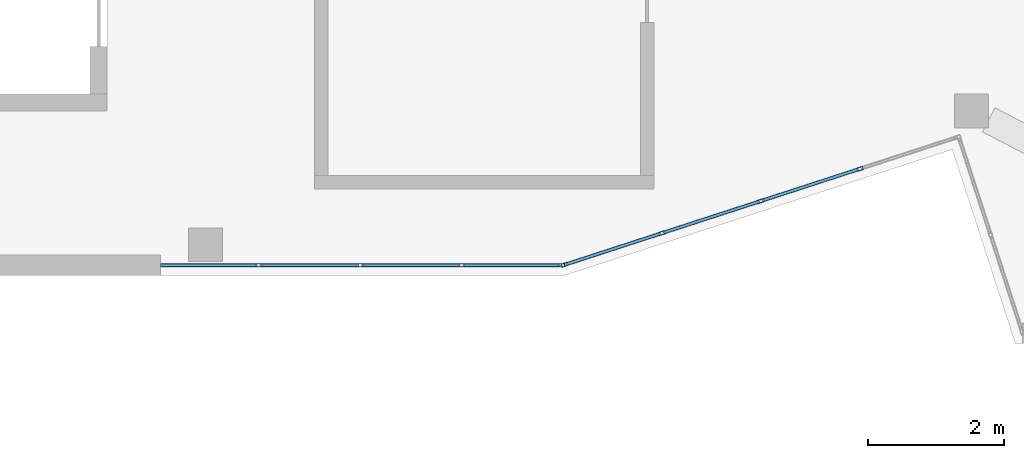
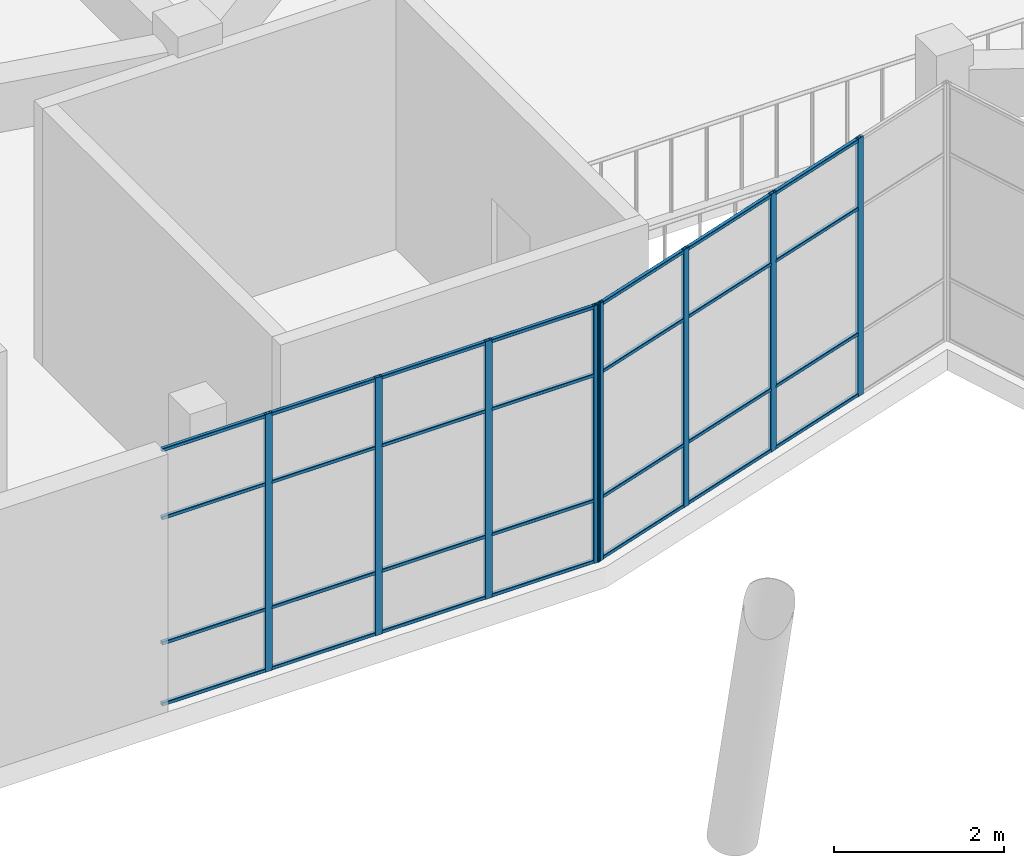
# One storey, part 6 of 66: 36 members, 2 elements without a shape of their own.
"""IFC4 building model written with IfcOpenShell, lengths in metres."""

from ifc_helpers import new_model, si_unit, direction, frame, origin, origin_2d, place, context, subcontext, project, spatial, hollow_rectangle, extrude, material, layer, layer_set, material_profile, profile_set, type_object, element, aggregate, save


model = new_model("IFC4")

# Units and contexts
model_context = context("Model", 3, precision=1e-05, world=origin(), true_north=direction((0.0, 1.0)))
body_context = subcontext(model_context, "Body", "Model", "MODEL_VIEW")
ifc_project = project(units=[si_unit("LENGTHUNIT", "METRE"), si_unit("AREAUNIT", "SQUARE_METRE"), si_unit("VOLUMEUNIT", "CUBIC_METRE"), si_unit("PLANEANGLEUNIT", "RADIAN"), si_unit("MASSUNIT", "GRAM", prefix="KILO")], contexts=[model_context])

# Site, building, storey
site_placement = place(None, origin())
site = spatial("IfcSite", under=ifc_project, at=site_placement, CompositionType="ELEMENT")
building_placement = place(site_placement, origin())
building = spatial("IfcBuilding", under=site, at=building_placement, Name="Tuart Plaza Theatre", CompositionType="ELEMENT")
storey_placement = place(building_placement, frame((0.0, 0.0, 5.5)))
storey = spatial("IfcBuildingStorey", under=building, at=storey_placement, Name="L01", CompositionType="ELEMENT", Elevation=5.5)

# Curtain wall, members
ifc_material_1 = material(Name="Aluminium and glass", Category="aluminium")
ifc_layer = layer(ifc_material_1, 0.10009765625)
ifc_layer_set = layer_set([ifc_layer], Name="CURTAIN WALL 1500 module")
curtain_wall_type = type_object("IfcCurtainWallType", Name="CURTAIN WALL 1500 module", PredefinedType="NOTDEFINED", material=ifc_layer_set)
curtain_wall_1_placement = place(storey_placement, origin())
curtain_wall_1 = element("IfcCurtainWall", 1, at=curtain_wall_1_placement, inside=storey, type_object=curtain_wall_type, Name="CW15", PredefinedType="NOTDEFINED")
ifc_material_2 = material(Name="Aluminium 6063-T5", Category="aluminium")
ifc_material_profile_1 = material_profile(ifc_material_2, hollow_rectangle(XDim=0.050048828125, YDim=0.10009765625, WallThickness=0.00390625, InnerFilletRadius=0.00390625, OuterFilletRadius=0.008056640625, at=origin_2d()), Name="RHS 100x50x4")
ifc_profile_set_1 = profile_set([ifc_material_profile_1], Name="Aluminium 6063-T5")
member_type_1 = type_object("IfcMemberType", Name="MULLION RHS 100x50x4", PredefinedType="MULLION", material=ifc_profile_set_1)
member_1_placement = place(storey_placement, frame((83.98095703125, 42.47802734375, 0.0), z_axis=(0.0, 0.0, 1.0), x_axis=(0.0, 1.0, 0.0)))
member_1 = element("IfcMember", 2, at=member_1_placement, type_object=member_type_1, Name="CW15 mullion 2", PredefinedType="MULLION", context=body_context, shape_type="SweptSolid", body=[
    extrude(hollow_rectangle(XDim=0.050048828125, YDim=0.10009765625, WallThickness=0.00390625, InnerFilletRadius=0.00390625, OuterFilletRadius=0.008056640625, at=origin_2d()), origin(), (0.0, 0.0, 1.0), 3.699951171875),
])
member_2_placement = place(storey_placement, frame((85.47509765625, 42.47802734375, 0.0), z_axis=(0.0, 0.0, 1.0), x_axis=(0.0, 1.0, 0.0)))
member_2 = element("IfcMember", 3, at=member_2_placement, type_object=member_type_1, Name="CW15 mullion 3", PredefinedType="MULLION", context=body_context, shape_type="SweptSolid", body=[
    extrude(hollow_rectangle(XDim=0.050048828125, YDim=0.10009765625, WallThickness=0.00390625, InnerFilletRadius=0.00390625, OuterFilletRadius=0.008056640625, at=origin_2d()), origin(), (0.0, 0.0, 1.0), 3.699951171875),
])
member_3_placement = place(storey_placement, frame((86.96923828125, 42.47802734375, 0.0), z_axis=(0.0, 0.0, 1.0), x_axis=(0.0, 1.0, 0.0)))
member_3 = element("IfcMember", 4, at=member_3_placement, type_object=member_type_1, Name="CW15 mullion 4", PredefinedType="MULLION", context=body_context, shape_type="SweptSolid", body=[
    extrude(hollow_rectangle(XDim=0.050048828125, YDim=0.10009765625, WallThickness=0.00390625, InnerFilletRadius=0.00390625, OuterFilletRadius=0.008056640625, at=origin_2d()), origin(), (0.0, 0.0, 1.0), 3.699951171875),
])
member_4_placement = place(storey_placement, frame((88.438232421875, 42.47802734375, 0.0), z_axis=(0.0, 0.0, 1.0), x_axis=(0.0, 1.0, 0.0)))
member_4 = element("IfcMember", 5, at=member_4_placement, type_object=member_type_1, Name="CW15 mullion 5", PredefinedType="MULLION", context=body_context, shape_type="SweptSolid", body=[
    extrude(hollow_rectangle(XDim=0.050048828125, YDim=0.10009765625, WallThickness=0.00390625, InnerFilletRadius=0.00390625, OuterFilletRadius=0.008056640625, at=origin_2d()), origin(), (0.0, 0.0, 1.0), 3.699951171875),
])

curtain_wall_2_placement = place(storey_placement, origin())
curtain_wall_2 = element("IfcCurtainWall", 6, at=curtain_wall_2_placement, inside=storey, type_object=curtain_wall_type, Name="CW16", PredefinedType="NOTDEFINED")
member_5_placement = place(storey_placement, frame((88.487060546875, 42.48583984375, 0.0), z_axis=(0.0, 0.0, 1.0), x_axis=(-0.309018232632, 0.95105611396, 0.0)))
member_5 = element("IfcMember", 7, at=member_5_placement, type_object=member_type_1, Name="CW16 mullion 1", PredefinedType="MULLION", context=body_context, shape_type="SweptSolid", body=[
    extrude(hollow_rectangle(XDim=0.050048828125, YDim=0.10009765625, WallThickness=0.00390625, InnerFilletRadius=0.00390625, OuterFilletRadius=0.008056640625, at=origin_2d()), origin(), (0.0, 0.0, 1.0), 3.699951171875),
])
member_6_placement = place(storey_placement, frame((89.919677734375, 42.951171875, 0.0), z_axis=(0.0, 0.0, 1.0), x_axis=(-0.309018232632, 0.95105611396, 0.0)))
member_6 = element("IfcMember", 8, at=member_6_placement, type_object=member_type_1, Name="CW16 mullion 2", PredefinedType="MULLION", context=body_context, shape_type="SweptSolid", body=[
    extrude(hollow_rectangle(XDim=0.050048828125, YDim=0.10009765625, WallThickness=0.00390625, InnerFilletRadius=0.00390625, OuterFilletRadius=0.008056640625, at=origin_2d()), origin(), (0.0, 0.0, 1.0), 3.699951171875),
])
member_7_placement = place(storey_placement, frame((91.376220703125, 43.424560546875, 0.0), z_axis=(0.0, 0.0, 1.0), x_axis=(-0.309018232632, 0.95105611396, 0.0)))
member_7 = element("IfcMember", 9, at=member_7_placement, type_object=member_type_1, Name="CW16 mullion 3", PredefinedType="MULLION", context=body_context, shape_type="SweptSolid", body=[
    extrude(hollow_rectangle(XDim=0.050048828125, YDim=0.10009765625, WallThickness=0.00390625, InnerFilletRadius=0.00390625, OuterFilletRadius=0.008056640625, at=origin_2d()), origin(), (0.0, 0.0, 1.0), 3.699951171875),
])
member_8_placement = place(storey_placement, frame((92.832763671875, 43.897705078125, 0.0), z_axis=(0.0, 0.0, 1.0), x_axis=(-0.309018232632, 0.95105611396, 0.0)))
member_8 = element("IfcMember", 10, at=member_8_placement, type_object=member_type_1, Name="CW16 mullion 4", PredefinedType="MULLION", context=body_context, shape_type="SweptSolid", body=[
    extrude(hollow_rectangle(XDim=0.050048828125, YDim=0.10009765625, WallThickness=0.00390625, InnerFilletRadius=0.00390625, OuterFilletRadius=0.008056640625, at=origin_2d()), origin(), (0.0, 0.0, 1.0), 3.699951171875),
])

# Member
ifc_material_3 = material(Name="Aluminium 6063-T5", Category="aluminium")
ifc_material_profile_2 = material_profile(ifc_material_3, hollow_rectangle(XDim=0.050048828125, YDim=0.050048828125, WallThickness=0.00390625, InnerFilletRadius=0.00390625, OuterFilletRadius=0.008056640625, at=origin_2d()), Name="RHS 50x50x4")
ifc_profile_set_2 = profile_set([ifc_material_profile_2], Name="Aluminium 6063-T5")
member_type_2 = type_object("IfcMemberType", Name="TRANSOM RHS 50x50x4", PredefinedType="USERDEFINED", material=ifc_profile_set_2)
member_9_placement = place(storey_placement, frame((82.537109375, 42.47802734375, 0.02490234375), z_axis=(1.0, 0.0, 0.0), x_axis=(0.0, 1.0, 0.0)))
member_9 = element("IfcMember", 11, at=member_9_placement, type_object=member_type_2, Name="CW15 transom 1.1", ObjectType="TRANSOM", PredefinedType="USERDEFINED", context=body_context, shape_type="SweptSolid", body=[
    extrude(hollow_rectangle(XDim=0.050048828125, YDim=0.050048828125, WallThickness=0.00390625, InnerFilletRadius=0.00390625, OuterFilletRadius=0.008056640625, at=origin_2d()), origin(), (0.0, 0.0, 1.0), 1.4189453125),
])

member_10_placement = place(storey_placement, frame((82.537109375, 42.47802734375, 0.89990234375), z_axis=(1.0, 0.0, 0.0), x_axis=(0.0, 1.0, 0.0)))
member_10 = element("IfcMember", 12, at=member_10_placement, type_object=member_type_2, Name="CW15 transom 1.2", ObjectType="TRANSOM", PredefinedType="USERDEFINED", context=body_context, shape_type="SweptSolid", body=[
    extrude(hollow_rectangle(XDim=0.050048828125, YDim=0.050048828125, WallThickness=0.00390625, InnerFilletRadius=0.00390625, OuterFilletRadius=0.008056640625, at=origin_2d()), origin(), (0.0, 0.0, 1.0), 1.4189453125),
])

member_11_placement = place(storey_placement, frame((82.537109375, 42.47802734375, 2.699951171875), z_axis=(1.0, 0.0, 0.0), x_axis=(0.0, 1.0, 0.0)))
member_11 = element("IfcMember", 13, at=member_11_placement, type_object=member_type_2, Name="CW15 transom 1.3", ObjectType="TRANSOM", PredefinedType="USERDEFINED", context=body_context, shape_type="SweptSolid", body=[
    extrude(hollow_rectangle(XDim=0.050048828125, YDim=0.050048828125, WallThickness=0.00390625, InnerFilletRadius=0.00390625, OuterFilletRadius=0.008056640625, at=origin_2d()), origin(), (0.0, 0.0, 1.0), 1.4189453125),
])

member_12_placement = place(storey_placement, frame((82.537109375, 42.47802734375, 3.675048828125), z_axis=(1.0, 0.0, 0.0), x_axis=(0.0, 1.0, 0.0)))
member_12 = element("IfcMember", 14, at=member_12_placement, type_object=member_type_2, Name="CW15 transom 1.4", ObjectType="TRANSOM", PredefinedType="USERDEFINED", context=body_context, shape_type="SweptSolid", body=[
    extrude(hollow_rectangle(XDim=0.050048828125, YDim=0.050048828125, WallThickness=0.00390625, InnerFilletRadius=0.00390625, OuterFilletRadius=0.008056640625, at=origin_2d()), origin(), (0.0, 0.0, 1.0), 1.4189453125),
])

member_13_placement = place(storey_placement, frame((84.006103515625, 42.47802734375, 0.02490234375), z_axis=(1.0, 0.0, 0.0), x_axis=(0.0, 1.0, 0.0)))
member_13 = element("IfcMember", 15, at=member_13_placement, type_object=member_type_2, Name="CW15 transom 2.1", ObjectType="TRANSOM", PredefinedType="USERDEFINED", context=body_context, shape_type="SweptSolid", body=[
    extrude(hollow_rectangle(XDim=0.050048828125, YDim=0.050048828125, WallThickness=0.00390625, InnerFilletRadius=0.00390625, OuterFilletRadius=0.008056640625, at=origin_2d()), origin(), (0.0, 0.0, 1.0), 1.444091796875),
])

member_14_placement = place(storey_placement, frame((84.006103515625, 42.47802734375, 0.89990234375), z_axis=(1.0, 0.0, 0.0), x_axis=(0.0, 1.0, 0.0)))
member_14 = element("IfcMember", 16, at=member_14_placement, type_object=member_type_2, Name="CW15 transom 2.2", ObjectType="TRANSOM", PredefinedType="USERDEFINED", context=body_context, shape_type="SweptSolid", body=[
    extrude(hollow_rectangle(XDim=0.050048828125, YDim=0.050048828125, WallThickness=0.00390625, InnerFilletRadius=0.00390625, OuterFilletRadius=0.008056640625, at=origin_2d()), origin(), (0.0, 0.0, 1.0), 1.444091796875),
])

member_15_placement = place(storey_placement, frame((84.006103515625, 42.47802734375, 2.699951171875), z_axis=(1.0, 0.0, 0.0), x_axis=(0.0, 1.0, 0.0)))
member_15 = element("IfcMember", 17, at=member_15_placement, type_object=member_type_2, Name="CW15 transom 2.3", ObjectType="TRANSOM", PredefinedType="USERDEFINED", context=body_context, shape_type="SweptSolid", body=[
    extrude(hollow_rectangle(XDim=0.050048828125, YDim=0.050048828125, WallThickness=0.00390625, InnerFilletRadius=0.00390625, OuterFilletRadius=0.008056640625, at=origin_2d()), origin(), (0.0, 0.0, 1.0), 1.444091796875),
])

member_16_placement = place(storey_placement, frame((84.006103515625, 42.47802734375, 3.675048828125), z_axis=(1.0, 0.0, 0.0), x_axis=(0.0, 1.0, 0.0)))
member_16 = element("IfcMember", 18, at=member_16_placement, type_object=member_type_2, Name="CW15 transom 2.4", ObjectType="TRANSOM", PredefinedType="USERDEFINED", context=body_context, shape_type="SweptSolid", body=[
    extrude(hollow_rectangle(XDim=0.050048828125, YDim=0.050048828125, WallThickness=0.00390625, InnerFilletRadius=0.00390625, OuterFilletRadius=0.008056640625, at=origin_2d()), origin(), (0.0, 0.0, 1.0), 1.444091796875),
])

member_17_placement = place(storey_placement, frame((85.5, 42.47802734375, 0.02490234375), z_axis=(1.0, 0.0, 0.0), x_axis=(0.0, 1.0, 0.0)))
member_17 = element("IfcMember", 19, at=member_17_placement, type_object=member_type_2, Name="CW15 transom 3.1", ObjectType="TRANSOM", PredefinedType="USERDEFINED", context=body_context, shape_type="SweptSolid", body=[
    extrude(hollow_rectangle(XDim=0.050048828125, YDim=0.050048828125, WallThickness=0.00390625, InnerFilletRadius=0.00390625, OuterFilletRadius=0.008056640625, at=origin_2d()), origin(), (0.0, 0.0, 1.0), 1.444091796875),
])

member_18_placement = place(storey_placement, frame((85.5, 42.47802734375, 0.89990234375), z_axis=(1.0, 0.0, 0.0), x_axis=(0.0, 1.0, 0.0)))
member_18 = element("IfcMember", 20, at=member_18_placement, type_object=member_type_2, Name="CW15 transom 3.2", ObjectType="TRANSOM", PredefinedType="USERDEFINED", context=body_context, shape_type="SweptSolid", body=[
    extrude(hollow_rectangle(XDim=0.050048828125, YDim=0.050048828125, WallThickness=0.00390625, InnerFilletRadius=0.00390625, OuterFilletRadius=0.008056640625, at=origin_2d()), origin(), (0.0, 0.0, 1.0), 1.444091796875),
])

member_19_placement = place(storey_placement, frame((85.5, 42.47802734375, 2.699951171875), z_axis=(1.0, 0.0, 0.0), x_axis=(0.0, 1.0, 0.0)))
member_19 = element("IfcMember", 21, at=member_19_placement, type_object=member_type_2, Name="CW15 transom 3.3", ObjectType="TRANSOM", PredefinedType="USERDEFINED", context=body_context, shape_type="SweptSolid", body=[
    extrude(hollow_rectangle(XDim=0.050048828125, YDim=0.050048828125, WallThickness=0.00390625, InnerFilletRadius=0.00390625, OuterFilletRadius=0.008056640625, at=origin_2d()), origin(), (0.0, 0.0, 1.0), 1.444091796875),
])

member_20_placement = place(storey_placement, frame((85.5, 42.47802734375, 3.675048828125), z_axis=(1.0, 0.0, 0.0), x_axis=(0.0, 1.0, 0.0)))
member_20 = element("IfcMember", 22, at=member_20_placement, type_object=member_type_2, Name="CW15 transom 3.4", ObjectType="TRANSOM", PredefinedType="USERDEFINED", context=body_context, shape_type="SweptSolid", body=[
    extrude(hollow_rectangle(XDim=0.050048828125, YDim=0.050048828125, WallThickness=0.00390625, InnerFilletRadius=0.00390625, OuterFilletRadius=0.008056640625, at=origin_2d()), origin(), (0.0, 0.0, 1.0), 1.444091796875),
])

member_21_placement = place(storey_placement, frame((86.994140625, 42.47802734375, 0.02490234375), z_axis=(1.0, 0.0, 0.0), x_axis=(0.0, 1.0, 0.0)))
member_21 = element("IfcMember", 23, at=member_21_placement, type_object=member_type_2, Name="CW15 transom 4.1", ObjectType="TRANSOM", PredefinedType="USERDEFINED", context=body_context, shape_type="SweptSolid", body=[
    extrude(hollow_rectangle(XDim=0.050048828125, YDim=0.050048828125, WallThickness=0.00390625, InnerFilletRadius=0.00390625, OuterFilletRadius=0.008056640625, at=origin_2d()), origin(), (0.0, 0.0, 1.0), 1.419189453125),
])

member_22_placement = place(storey_placement, frame((86.994140625, 42.47802734375, 0.89990234375), z_axis=(1.0, 0.0, 0.0), x_axis=(0.0, 1.0, 0.0)))
member_22 = element("IfcMember", 24, at=member_22_placement, type_object=member_type_2, Name="CW15 transom 4.2", ObjectType="TRANSOM", PredefinedType="USERDEFINED", context=body_context, shape_type="SweptSolid", body=[
    extrude(hollow_rectangle(XDim=0.050048828125, YDim=0.050048828125, WallThickness=0.00390625, InnerFilletRadius=0.00390625, OuterFilletRadius=0.008056640625, at=origin_2d()), origin(), (0.0, 0.0, 1.0), 1.419189453125),
])

member_23_placement = place(storey_placement, frame((86.994140625, 42.47802734375, 2.699951171875), z_axis=(1.0, 0.0, 0.0), x_axis=(0.0, 1.0, 0.0)))
member_23 = element("IfcMember", 25, at=member_23_placement, type_object=member_type_2, Name="CW15 transom 4.3", ObjectType="TRANSOM", PredefinedType="USERDEFINED", context=body_context, shape_type="SweptSolid", body=[
    extrude(hollow_rectangle(XDim=0.050048828125, YDim=0.050048828125, WallThickness=0.00390625, InnerFilletRadius=0.00390625, OuterFilletRadius=0.008056640625, at=origin_2d()), origin(), (0.0, 0.0, 1.0), 1.419189453125),
])

member_24_placement = place(storey_placement, frame((86.994140625, 42.47802734375, 3.675048828125), z_axis=(1.0, 0.0, 0.0), x_axis=(0.0, 1.0, 0.0)))
member_24 = element("IfcMember", 26, at=member_24_placement, type_object=member_type_2, Name="CW15 transom 4.4", ObjectType="TRANSOM", PredefinedType="USERDEFINED", context=body_context, shape_type="SweptSolid", body=[
    extrude(hollow_rectangle(XDim=0.050048828125, YDim=0.050048828125, WallThickness=0.00390625, InnerFilletRadius=0.00390625, OuterFilletRadius=0.008056640625, at=origin_2d()), origin(), (0.0, 0.0, 1.0), 1.419189453125),
])

aggregate(curtain_wall_1, [member_1, member_2, member_3, member_4, member_9, member_10, member_11, member_12, member_13, member_14, member_15, member_16, member_17, member_18, member_19, member_20, member_21, member_22, member_23, member_24])

member_25_placement = place(storey_placement, frame((88.5107421875, 42.493408203125, 0.02490234375), z_axis=(0.951036532205, 0.309078492313, 0.0), x_axis=(-0.309078492313, 0.951036532205, 0.0)))
member_25 = element("IfcMember", 27, at=member_25_placement, type_object=member_type_2, Name="CW16 transom 1.1", ObjectType="TRANSOM", PredefinedType="USERDEFINED", context=body_context, shape_type="SweptSolid", body=[
    extrude(hollow_rectangle(XDim=0.050048828125, YDim=0.050048828125, WallThickness=0.00390625, InnerFilletRadius=0.00390625, OuterFilletRadius=0.008056640625, at=origin_2d()), origin(), (0.0, 0.0, 1.0), 1.45654296875),
])

member_26_placement = place(storey_placement, frame((88.5107421875, 42.493408203125, 0.89990234375), z_axis=(0.951036532205, 0.309078492313, 0.0), x_axis=(-0.309078492313, 0.951036532205, 0.0)))
member_26 = element("IfcMember", 28, at=member_26_placement, type_object=member_type_2, Name="CW16 transom 1.2", ObjectType="TRANSOM", PredefinedType="USERDEFINED", context=body_context, shape_type="SweptSolid", body=[
    extrude(hollow_rectangle(XDim=0.050048828125, YDim=0.050048828125, WallThickness=0.00390625, InnerFilletRadius=0.00390625, OuterFilletRadius=0.008056640625, at=origin_2d()), origin(), (0.0, 0.0, 1.0), 1.45654296875),
])

member_27_placement = place(storey_placement, frame((88.5107421875, 42.493408203125, 2.699951171875), z_axis=(0.951036532205, 0.309078492313, 0.0), x_axis=(-0.309078492313, 0.951036532205, 0.0)))
member_27 = element("IfcMember", 29, at=member_27_placement, type_object=member_type_2, Name="CW16 transom 1.3", ObjectType="TRANSOM", PredefinedType="USERDEFINED", context=body_context, shape_type="SweptSolid", body=[
    extrude(hollow_rectangle(XDim=0.050048828125, YDim=0.050048828125, WallThickness=0.00390625, InnerFilletRadius=0.00390625, OuterFilletRadius=0.008056640625, at=origin_2d()), origin(), (0.0, 0.0, 1.0), 1.45654296875),
])

member_28_placement = place(storey_placement, frame((88.5107421875, 42.493408203125, 3.675048828125), z_axis=(0.951036532205, 0.309078492313, 0.0), x_axis=(-0.309078492313, 0.951036532205, 0.0)))
member_28 = element("IfcMember", 30, at=member_28_placement, type_object=member_type_2, Name="CW16 transom 1.4", ObjectType="TRANSOM", PredefinedType="USERDEFINED", context=body_context, shape_type="SweptSolid", body=[
    extrude(hollow_rectangle(XDim=0.050048828125, YDim=0.050048828125, WallThickness=0.00390625, InnerFilletRadius=0.00390625, OuterFilletRadius=0.008056640625, at=origin_2d()), origin(), (0.0, 0.0, 1.0), 1.45654296875),
])

member_29_placement = place(storey_placement, frame((89.943603515625, 42.958984375, 0.02490234375), z_axis=(0.951061919735, 0.309000363802, 0.0), x_axis=(-0.309000363802, 0.951061919735, 0.0)))
member_29 = element("IfcMember", 31, at=member_29_placement, type_object=member_type_2, Name="CW16 transom 2.1", ObjectType="TRANSOM", PredefinedType="USERDEFINED", context=body_context, shape_type="SweptSolid", body=[
    extrude(hollow_rectangle(XDim=0.050048828125, YDim=0.050048828125, WallThickness=0.00390625, InnerFilletRadius=0.00390625, OuterFilletRadius=0.008056640625, at=origin_2d()), origin(), (0.0, 0.0, 1.0), 1.4814453125),
])

member_30_placement = place(storey_placement, frame((89.943603515625, 42.958984375, 0.89990234375), z_axis=(0.951061919735, 0.309000363802, 0.0), x_axis=(-0.309000363802, 0.951061919735, 0.0)))
member_30 = element("IfcMember", 32, at=member_30_placement, type_object=member_type_2, Name="CW16 transom 2.2", ObjectType="TRANSOM", PredefinedType="USERDEFINED", context=body_context, shape_type="SweptSolid", body=[
    extrude(hollow_rectangle(XDim=0.050048828125, YDim=0.050048828125, WallThickness=0.00390625, InnerFilletRadius=0.00390625, OuterFilletRadius=0.008056640625, at=origin_2d()), origin(), (0.0, 0.0, 1.0), 1.4814453125),
])

member_31_placement = place(storey_placement, frame((89.943603515625, 42.958984375, 2.699951171875), z_axis=(0.951061919735, 0.309000363802, 0.0), x_axis=(-0.309000363802, 0.951061919735, 0.0)))
member_31 = element("IfcMember", 33, at=member_31_placement, type_object=member_type_2, Name="CW16 transom 2.3", ObjectType="TRANSOM", PredefinedType="USERDEFINED", context=body_context, shape_type="SweptSolid", body=[
    extrude(hollow_rectangle(XDim=0.050048828125, YDim=0.050048828125, WallThickness=0.00390625, InnerFilletRadius=0.00390625, OuterFilletRadius=0.008056640625, at=origin_2d()), origin(), (0.0, 0.0, 1.0), 1.4814453125),
])

member_32_placement = place(storey_placement, frame((89.943603515625, 42.958984375, 3.675048828125), z_axis=(0.951061919735, 0.309000363802, 0.0), x_axis=(-0.309000363802, 0.951061919735, 0.0)))
member_32 = element("IfcMember", 34, at=member_32_placement, type_object=member_type_2, Name="CW16 transom 2.4", ObjectType="TRANSOM", PredefinedType="USERDEFINED", context=body_context, shape_type="SweptSolid", body=[
    extrude(hollow_rectangle(XDim=0.050048828125, YDim=0.050048828125, WallThickness=0.00390625, InnerFilletRadius=0.00390625, OuterFilletRadius=0.008056640625, at=origin_2d()), origin(), (0.0, 0.0, 1.0), 1.4814453125),
])

member_33_placement = place(storey_placement, frame((91.400146484375, 43.43212890625, 0.02490234375), z_axis=(0.951013479291, 0.309149417285, 0.0), x_axis=(-0.309149417285, 0.951013479291, 0.0)))
member_33 = element("IfcMember", 35, at=member_33_placement, type_object=member_type_2, Name="CW16 transom 3.1", ObjectType="TRANSOM", PredefinedType="USERDEFINED", context=body_context, shape_type="SweptSolid", body=[
    extrude(hollow_rectangle(XDim=0.050048828125, YDim=0.050048828125, WallThickness=0.00390625, InnerFilletRadius=0.00390625, OuterFilletRadius=0.008056640625, at=origin_2d()), origin(), (0.0, 0.0, 1.0), 1.4814453125),
])

member_34_placement = place(storey_placement, frame((91.400146484375, 43.43212890625, 0.89990234375), z_axis=(0.951013479291, 0.309149417285, 0.0), x_axis=(-0.309149417285, 0.951013479291, 0.0)))
member_34 = element("IfcMember", 36, at=member_34_placement, type_object=member_type_2, Name="CW16 transom 3.2", ObjectType="TRANSOM", PredefinedType="USERDEFINED", context=body_context, shape_type="SweptSolid", body=[
    extrude(hollow_rectangle(XDim=0.050048828125, YDim=0.050048828125, WallThickness=0.00390625, InnerFilletRadius=0.00390625, OuterFilletRadius=0.008056640625, at=origin_2d()), origin(), (0.0, 0.0, 1.0), 1.4814453125),
])

member_35_placement = place(storey_placement, frame((91.400146484375, 43.43212890625, 2.699951171875), z_axis=(0.951013479291, 0.309149417285, 0.0), x_axis=(-0.309149417285, 0.951013479291, 0.0)))
member_35 = element("IfcMember", 37, at=member_35_placement, type_object=member_type_2, Name="CW16 transom 3.3", ObjectType="TRANSOM", PredefinedType="USERDEFINED", context=body_context, shape_type="SweptSolid", body=[
    extrude(hollow_rectangle(XDim=0.050048828125, YDim=0.050048828125, WallThickness=0.00390625, InnerFilletRadius=0.00390625, OuterFilletRadius=0.008056640625, at=origin_2d()), origin(), (0.0, 0.0, 1.0), 1.4814453125),
])

member_36_placement = place(storey_placement, frame((91.400146484375, 43.43212890625, 3.675048828125), z_axis=(0.951013479291, 0.309149417285, 0.0), x_axis=(-0.309149417285, 0.951013479291, 0.0)))
member_36 = element("IfcMember", 38, at=member_36_placement, type_object=member_type_2, Name="CW16 transom 3.4", ObjectType="TRANSOM", PredefinedType="USERDEFINED", context=body_context, shape_type="SweptSolid", body=[
    extrude(hollow_rectangle(XDim=0.050048828125, YDim=0.050048828125, WallThickness=0.00390625, InnerFilletRadius=0.00390625, OuterFilletRadius=0.008056640625, at=origin_2d()), origin(), (0.0, 0.0, 1.0), 1.4814453125),
])

aggregate(curtain_wall_2, [member_5, member_6, member_7, member_8, member_25, member_26, member_27, member_28, member_29, member_30, member_31, member_32, member_33, member_34, member_35, member_36])

save(model, "model.ifc")
